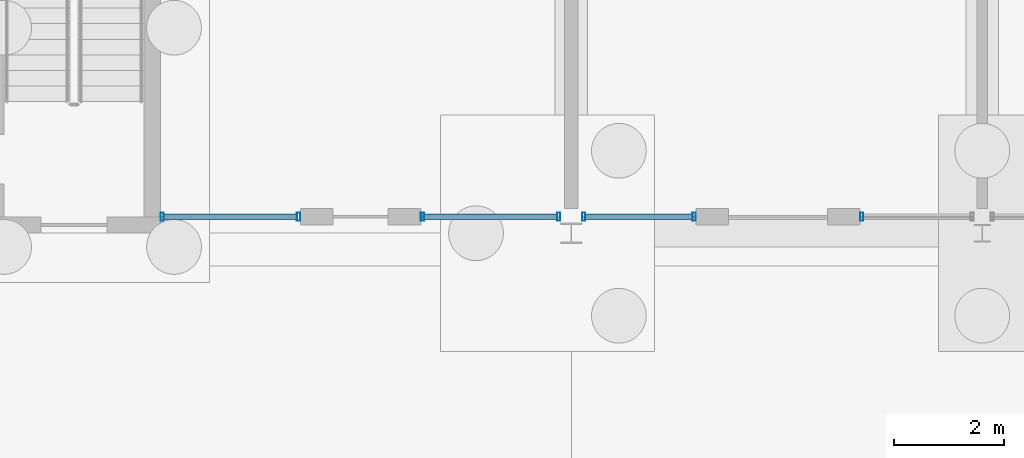
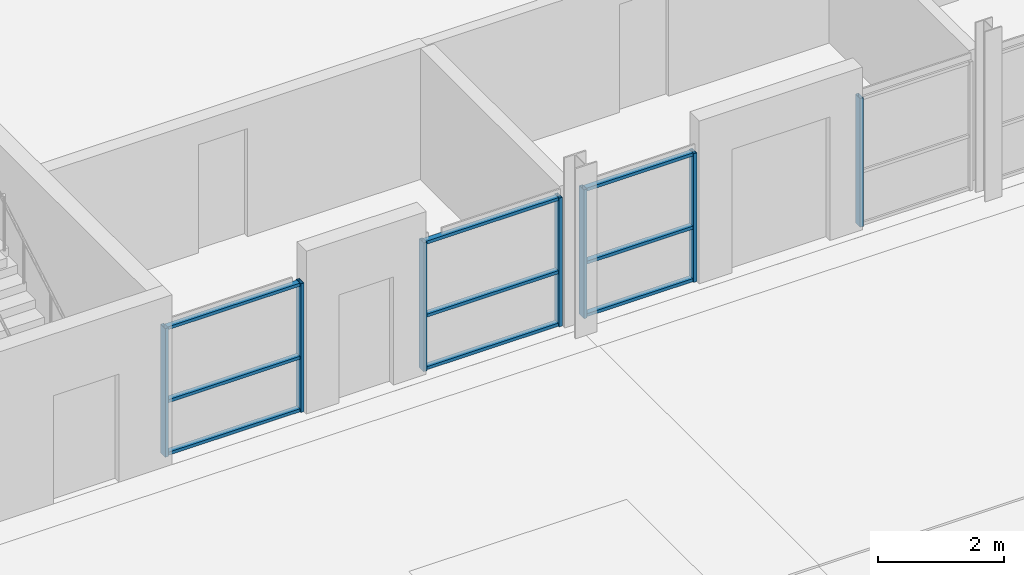
# One storey, part 60 of 130: 16 members, 4 elements without a shape of their own.
"""IFC4 building model written with IfcOpenShell, lengths in metres."""

from ifc_helpers import new_model, si_unit, direction, frame, origin, origin_2d, place, context, subcontext, project, spatial, hollow_rectangle, extrude, material, material_profile, profile_set, type_object, element, aggregate, save


model = new_model("IFC4")

# Units and contexts
model_context = context("Model", 3, precision=1e-05, world=origin(), true_north=direction((0.0, 1.0)))
body_context = subcontext(model_context, "Body", "Model", "MODEL_VIEW")
ifc_project = project(units=[si_unit("LENGTHUNIT", "METRE"), si_unit("AREAUNIT", "SQUARE_METRE"), si_unit("VOLUMEUNIT", "CUBIC_METRE"), si_unit("PLANEANGLEUNIT", "RADIAN"), si_unit("MASSUNIT", "GRAM", prefix="KILO")], contexts=[model_context])

# Site, building, storey
site_placement = place(None, origin())
site = spatial("IfcSite", under=ifc_project, at=site_placement, CompositionType="ELEMENT")
building_placement = place(site_placement, origin())
building = spatial("IfcBuilding", under=site, at=building_placement, Name="Parallax Yard Mobility Hub", CompositionType="ELEMENT")
storey_placement = place(building_placement, origin())
storey = spatial("IfcBuildingStorey", under=building, at=storey_placement, Name="L00", CompositionType="ELEMENT", Elevation=0.0)

# Curtain wall, members
ifc_material_1 = material(Name="Aluminium and glass curtain wall", Category="aluminium")
curtain_wall_type = type_object("IfcCurtainWallType", Name="Curtain wall, aluminium stick system", PredefinedType="NOTDEFINED", material=ifc_material_1)
curtain_wall_1_placement = place(storey_placement, origin())
curtain_wall_1 = element("IfcCurtainWall", 1, at=curtain_wall_1_placement, inside=storey, type_object=curtain_wall_type, Name="Curtain wall CW18 level L00 bay 14", PredefinedType="NOTDEFINED")
ifc_material_2 = material(Name="Aluminium 6063-T6 anodised", Category="aluminium")
ifc_material_profile_1 = material_profile(ifc_material_2, hollow_rectangle(XDim=0.14990234375, YDim=0.06005859375, WallThickness=0.00390625, at=origin_2d()), Name="RHS 60x150x4")
ifc_profile_set_1 = profile_set([ifc_material_profile_1], Name="Aluminium 6063-T6 anodised")
member_type_1 = type_object("IfcMemberType", Name="Curtain wall mullion RHS 60x150x4", PredefinedType="MULLION", material=ifc_profile_set_1)
member_1_placement = place(storey_placement, frame((142.534912109375, 112.800048828125, 0.0), z_axis=(0.0, 0.0, 1.0), x_axis=(0.0, 1.0, 0.0)))
member_1 = element("IfcMember", 2, at=member_1_placement, type_object=member_type_1, Name="CW18 mullion 1", PredefinedType="MULLION", context=body_context, shape_type="SweptSolid", body=[
    extrude(hollow_rectangle(XDim=0.14990234375, YDim=0.06005859375, WallThickness=0.00390625, at=origin_2d()), origin(), (0.0, 0.0, 1.0), 2.5),
])
member_2_placement = place(storey_placement, frame((145.02392578125, 112.800048828125, 0.0), z_axis=(0.0, 0.0, 1.0), x_axis=(0.0, 1.0, 0.0)))
member_2 = element("IfcMember", 3, at=member_2_placement, type_object=member_type_1, Name="CW18 mullion 2", PredefinedType="MULLION", context=body_context, shape_type="SweptSolid", body=[
    extrude(hollow_rectangle(XDim=0.14990234375, YDim=0.06005859375, WallThickness=0.00390625, at=origin_2d()), origin(), (0.0, 0.0, 1.0), 2.5),
])

curtain_wall_2_placement = place(storey_placement, origin())
curtain_wall_2 = element("IfcCurtainWall", 4, at=curtain_wall_2_placement, inside=storey, type_object=curtain_wall_type, Name="Curtain wall CW19 level L00 bay 14", PredefinedType="NOTDEFINED")
member_3_placement = place(storey_placement, frame((147.283935546875, 112.800048828125, 0.0), z_axis=(0.0, 0.0, 1.0), x_axis=(0.0, 1.0, 0.0)))
member_3 = element("IfcMember", 5, at=member_3_placement, type_object=member_type_1, Name="CW19 mullion 1", PredefinedType="MULLION", context=body_context, shape_type="SweptSolid", body=[
    extrude(hollow_rectangle(XDim=0.14990234375, YDim=0.06005859375, WallThickness=0.00390625, at=origin_2d()), origin(), (0.0, 0.0, 1.0), 2.5),
])
member_4_placement = place(storey_placement, frame((149.77294921875, 112.800048828125, 0.0), z_axis=(0.0, 0.0, 1.0), x_axis=(0.0, 1.0, 0.0)))
member_4 = element("IfcMember", 6, at=member_4_placement, type_object=member_type_1, Name="CW19 mullion 2", PredefinedType="MULLION", context=body_context, shape_type="SweptSolid", body=[
    extrude(hollow_rectangle(XDim=0.14990234375, YDim=0.06005859375, WallThickness=0.00390625, at=origin_2d()), origin(), (0.0, 0.0, 1.0), 2.5),
])

curtain_wall_3_placement = place(storey_placement, origin())
curtain_wall_3 = element("IfcCurtainWall", 7, at=curtain_wall_3_placement, inside=storey, type_object=curtain_wall_type, Name="Curtain wall CW20 level L00 bay 15", PredefinedType="NOTDEFINED")
member_5_placement = place(storey_placement, frame((150.22705078125, 112.800048828125, 0.0), z_axis=(0.0, 0.0, 1.0), x_axis=(0.0, 1.0, 0.0)))
member_5 = element("IfcMember", 8, at=member_5_placement, type_object=member_type_1, Name="CW20 mullion 1", PredefinedType="MULLION", context=body_context, shape_type="SweptSolid", body=[
    extrude(hollow_rectangle(XDim=0.14990234375, YDim=0.06005859375, WallThickness=0.00390625, at=origin_2d()), origin(), (0.0, 0.0, 1.0), 2.5),
])
member_6_placement = place(storey_placement, frame((152.24169921875, 112.800048828125, 0.0), z_axis=(0.0, 0.0, 1.0), x_axis=(0.0, 1.0, 0.0)))
member_6 = element("IfcMember", 9, at=member_6_placement, type_object=member_type_1, Name="CW20 mullion 2", PredefinedType="MULLION", context=body_context, shape_type="SweptSolid", body=[
    extrude(hollow_rectangle(XDim=0.14990234375, YDim=0.06005859375, WallThickness=0.00390625, at=origin_2d()), origin(), (0.0, 0.0, 1.0), 2.5),
])

# Curtain wall, member
curtain_wall_4_placement = place(storey_placement, origin())
curtain_wall_4 = element("IfcCurtainWall", 10, at=curtain_wall_4_placement, inside=storey, type_object=curtain_wall_type, Name="Curtain wall CW21 level L00 bay 15", PredefinedType="NOTDEFINED")
member_7_placement = place(storey_placement, frame((155.3017578125, 112.800048828125, 0.0), z_axis=(0.0, 0.0, 1.0), x_axis=(0.0, 1.0, 0.0)))
member_7 = element("IfcMember", 11, at=member_7_placement, type_object=member_type_1, Name="CW21 mullion 1", PredefinedType="MULLION", context=body_context, shape_type="SweptSolid", body=[
    extrude(hollow_rectangle(XDim=0.14990234375, YDim=0.06005859375, WallThickness=0.00390625, at=origin_2d()), origin(), (0.0, 0.0, 1.0), 2.5),
])
aggregate(curtain_wall_4, [member_7])

# Member
ifc_material_profile_2 = material_profile(ifc_material_2, hollow_rectangle(XDim=0.10009765625, YDim=0.06005859375, WallThickness=0.00390625, at=origin_2d()), Name="RHS 60x100x4")
ifc_profile_set_2 = profile_set([ifc_material_profile_2], Name="Aluminium 6063-T6 anodised")
member_type_2 = type_object("IfcMemberType", Name="Curtain wall transom RHS 60x100x4", PredefinedType="USERDEFINED", material=ifc_profile_set_2)
member_8_placement = place(storey_placement, frame((142.56494140625, 112.800048828125, 0.030029296875), z_axis=(1.0, 0.0, 0.0), x_axis=(0.0, 1.0, 0.0)))
member_8 = element("IfcMember", 12, at=member_8_placement, type_object=member_type_2, Name="CW18 transom 1.1", ObjectType="TRANSOM", PredefinedType="USERDEFINED", context=body_context, shape_type="SweptSolid", body=[
    extrude(hollow_rectangle(XDim=0.10009765625, YDim=0.06005859375, WallThickness=0.00390625, at=origin_2d()), origin(), (0.0, 0.0, 1.0), 2.428955078125),
])

member_9_placement = place(storey_placement, frame((142.56494140625, 112.800048828125, 1.050048828125), z_axis=(1.0, 0.0, 0.0), x_axis=(0.0, 1.0, 0.0)))
member_9 = element("IfcMember", 13, at=member_9_placement, type_object=member_type_2, Name="CW18 transom 1.2", ObjectType="TRANSOM", PredefinedType="USERDEFINED", context=body_context, shape_type="SweptSolid", body=[
    extrude(hollow_rectangle(XDim=0.10009765625, YDim=0.06005859375, WallThickness=0.00390625, at=origin_2d()), origin(), (0.0, 0.0, 1.0), 2.428955078125),
])

member_10_placement = place(storey_placement, frame((142.56494140625, 112.800048828125, 2.469970703125), z_axis=(1.0, 0.0, 0.0), x_axis=(0.0, 1.0, 0.0)))
member_10 = element("IfcMember", 14, at=member_10_placement, type_object=member_type_2, Name="CW18 transom 1.3", ObjectType="TRANSOM", PredefinedType="USERDEFINED", context=body_context, shape_type="SweptSolid", body=[
    extrude(hollow_rectangle(XDim=0.10009765625, YDim=0.06005859375, WallThickness=0.00390625, at=origin_2d()), origin(), (0.0, 0.0, 1.0), 2.428955078125),
])

aggregate(curtain_wall_1, [member_1, member_2, member_8, member_9, member_10])

member_11_placement = place(storey_placement, frame((147.31396484375, 112.800048828125, 0.030029296875), z_axis=(1.0, 0.0, 0.0), x_axis=(0.0, 1.0, 0.0)))
member_11 = element("IfcMember", 15, at=member_11_placement, type_object=member_type_2, Name="CW19 transom 1.1", ObjectType="TRANSOM", PredefinedType="USERDEFINED", context=body_context, shape_type="SweptSolid", body=[
    extrude(hollow_rectangle(XDim=0.10009765625, YDim=0.06005859375, WallThickness=0.00390625, at=origin_2d()), origin(), (0.0, 0.0, 1.0), 2.428955078125),
])

member_12_placement = place(storey_placement, frame((147.31396484375, 112.800048828125, 1.050048828125), z_axis=(1.0, 0.0, 0.0), x_axis=(0.0, 1.0, 0.0)))
member_12 = element("IfcMember", 16, at=member_12_placement, type_object=member_type_2, Name="CW19 transom 1.2", ObjectType="TRANSOM", PredefinedType="USERDEFINED", context=body_context, shape_type="SweptSolid", body=[
    extrude(hollow_rectangle(XDim=0.10009765625, YDim=0.06005859375, WallThickness=0.00390625, at=origin_2d()), origin(), (0.0, 0.0, 1.0), 2.428955078125),
])

member_13_placement = place(storey_placement, frame((147.31396484375, 112.800048828125, 2.469970703125), z_axis=(1.0, 0.0, 0.0), x_axis=(0.0, 1.0, 0.0)))
member_13 = element("IfcMember", 17, at=member_13_placement, type_object=member_type_2, Name="CW19 transom 1.3", ObjectType="TRANSOM", PredefinedType="USERDEFINED", context=body_context, shape_type="SweptSolid", body=[
    extrude(hollow_rectangle(XDim=0.10009765625, YDim=0.06005859375, WallThickness=0.00390625, at=origin_2d()), origin(), (0.0, 0.0, 1.0), 2.428955078125),
])

aggregate(curtain_wall_2, [member_3, member_4, member_11, member_12, member_13])

member_14_placement = place(storey_placement, frame((150.257080078125, 112.800048828125, 0.030029296875), z_axis=(1.0, 0.0, 0.0), x_axis=(0.0, 1.0, 0.0)))
member_14 = element("IfcMember", 18, at=member_14_placement, type_object=member_type_2, Name="CW20 transom 1.1", ObjectType="TRANSOM", PredefinedType="USERDEFINED", context=body_context, shape_type="SweptSolid", body=[
    extrude(hollow_rectangle(XDim=0.10009765625, YDim=0.06005859375, WallThickness=0.00390625, at=origin_2d()), origin(), (0.0, 0.0, 1.0), 1.95458984375),
])

member_15_placement = place(storey_placement, frame((150.257080078125, 112.800048828125, 1.050048828125), z_axis=(1.0, 0.0, 0.0), x_axis=(0.0, 1.0, 0.0)))
member_15 = element("IfcMember", 19, at=member_15_placement, type_object=member_type_2, Name="CW20 transom 1.2", ObjectType="TRANSOM", PredefinedType="USERDEFINED", context=body_context, shape_type="SweptSolid", body=[
    extrude(hollow_rectangle(XDim=0.10009765625, YDim=0.06005859375, WallThickness=0.00390625, at=origin_2d()), origin(), (0.0, 0.0, 1.0), 1.95458984375),
])

member_16_placement = place(storey_placement, frame((150.257080078125, 112.800048828125, 2.469970703125), z_axis=(1.0, 0.0, 0.0), x_axis=(0.0, 1.0, 0.0)))
member_16 = element("IfcMember", 20, at=member_16_placement, type_object=member_type_2, Name="CW20 transom 1.3", ObjectType="TRANSOM", PredefinedType="USERDEFINED", context=body_context, shape_type="SweptSolid", body=[
    extrude(hollow_rectangle(XDim=0.10009765625, YDim=0.06005859375, WallThickness=0.00390625, at=origin_2d()), origin(), (0.0, 0.0, 1.0), 1.95458984375),
])

aggregate(curtain_wall_3, [member_5, member_6, member_14, member_15, member_16])

save(model, "model.ifc")
